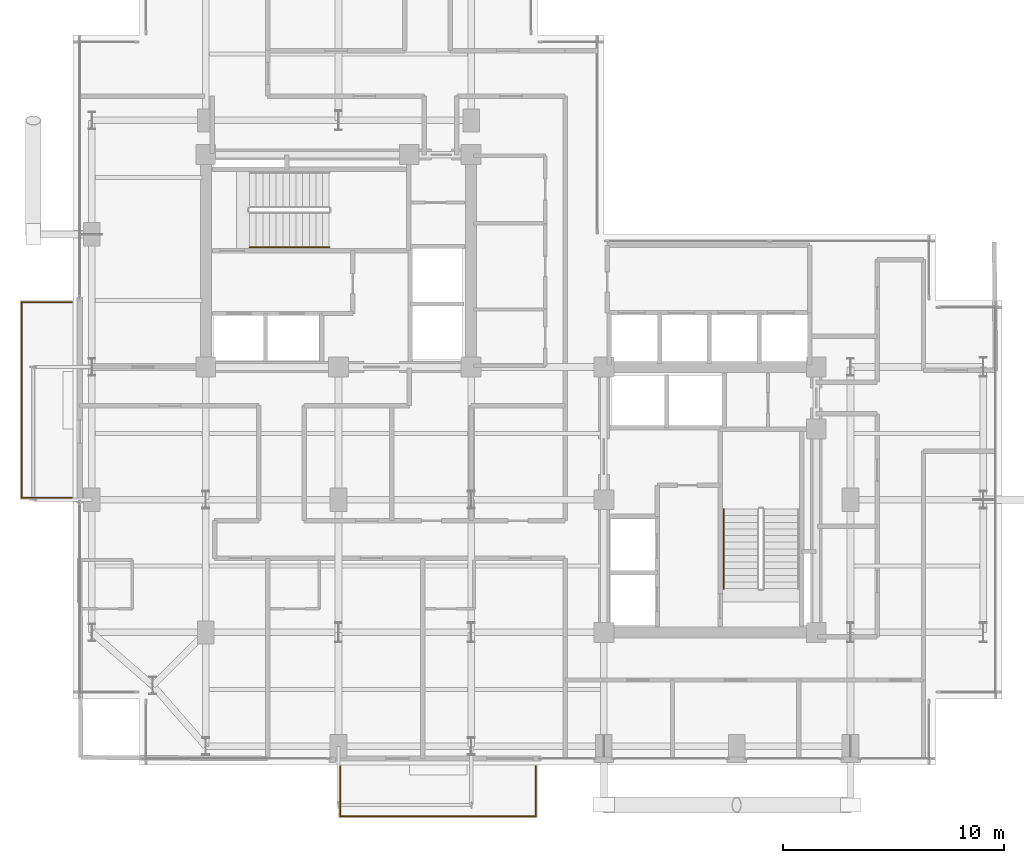
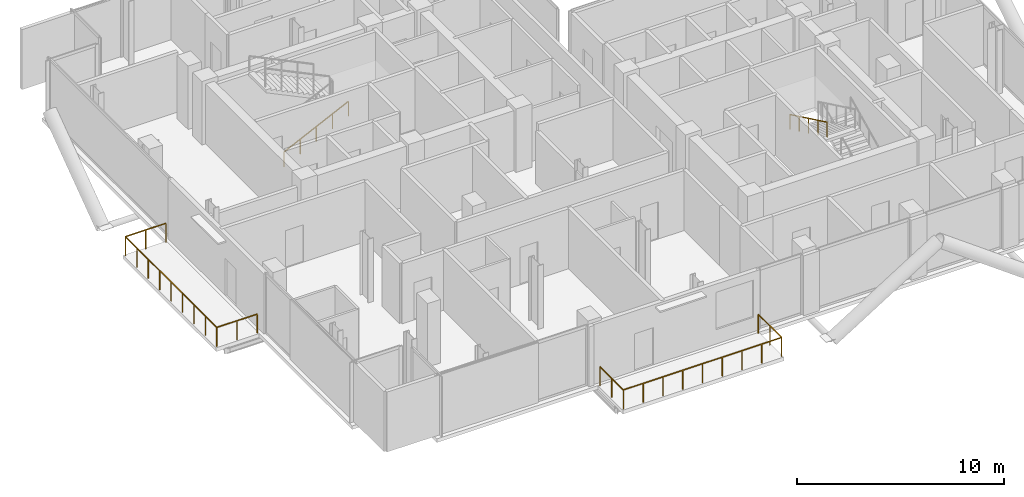
# One storey, part 21 of 22: 4 railings.
"""IFC4 building model written with IfcOpenShell, lengths in metres."""

from ifc_helpers import new_model, si_unit, direction, frame, origin, origin_2d, place, context, subcontext, project, spatial, rectangle, extrude, material, type_object, element, save


model = new_model("IFC4")

# Units and contexts
model_context = context("Model", 3, precision=1e-05, world=origin(), true_north=direction((0.0, 1.0)))
body_context = subcontext(model_context, "Body", "Model", "MODEL_VIEW")
ifc_project = project(units=[si_unit("LENGTHUNIT", "METRE"), si_unit("AREAUNIT", "SQUARE_METRE"), si_unit("VOLUMEUNIT", "CUBIC_METRE"), si_unit("PLANEANGLEUNIT", "RADIAN"), si_unit("MASSUNIT", "GRAM", prefix="KILO"), si_unit("THERMODYNAMICTEMPERATUREUNIT", "KELVIN"), si_unit("POWERUNIT", "WATT")], contexts=[model_context])

# Site, building, storey
site_placement = place(None, origin())
site = spatial("IfcSite", under=ifc_project, at=site_placement, CompositionType="ELEMENT")
building_placement = place(site_placement, origin())
building = spatial("IfcBuilding", under=site, at=building_placement, Name="Svarakhadi Broadcast Tower", CompositionType="ELEMENT")
storey_placement = place(building_placement, frame((0.0, 0.0, 176.699951171875)))
storey = spatial("IfcBuildingStorey", under=building, at=storey_placement, Name="L43", CompositionType="ELEMENT", Elevation=176.699951171875)

# Railings
ifc_material_1 = material(Name="Laminated Structural SentryGlas Balustrade 25.5 mm", Category="glass")
railing_type_1 = type_object("IfcRailingType", Name="Guard_Balcony_GR01", PredefinedType="BALUSTRADE", material=ifc_material_1)
railing_1_placement = place(storey_placement, frame((12.080078125, -0.06005859375, 0.0)))
element("IfcRailing", 1, at=railing_1_placement, inside=storey, type_object=railing_type_1, Name="L43 South Tree Balcony Guard GR-05", PredefinedType="BALUSTRADE", context=body_context, shape_type="SweptSolid", body=[
    extrude(rectangle(XDim=0.048095703125, YDim=0.048095703125, at=origin_2d()), frame((0.0, 0.0, 1.1259765625), z_axis=(0.0, -1.0, 0.0), x_axis=(1.0, 0.0, 0.0)), (0.0, 0.0, 1.0), 2.260009765625),
    extrude(rectangle(XDim=0.048095703125, YDim=0.048095703125, at=origin_2d()), frame((0.0, -2.260009765625, 1.1259765625), z_axis=(1.0, 0.0, 0.0), x_axis=(0.0, 1.0, 0.0)), (0.0, 0.0, 1.0), 8.83984375),
    extrude(rectangle(XDim=0.048095703125, YDim=0.048095703125, at=origin_2d()), frame((8.83984375, -2.260009765625, 1.1259765625), z_axis=(0.0, 1.0, 0.0), x_axis=(-1.0, 0.0, 0.0)), (0.0, 0.0, 1.0), 2.260009765625),
    extrude(rectangle(XDim=0.0419921875, YDim=0.0419921875, at=origin_2d()), origin(), (0.0, 0.0, 1.0), 1.101806640625),
    extrude(rectangle(XDim=0.0419921875, YDim=0.0419921875, at=origin_2d()), frame((0.0, -1.1298828125, 0.0)), (0.0, 0.0, 1.0), 1.101806640625),
    extrude(rectangle(XDim=0.0419921875, YDim=0.0419921875, at=origin_2d()), frame((0.0, -2.260009765625, 0.0)), (0.0, 0.0, 1.0), 1.101806640625),
    extrude(rectangle(XDim=0.0419921875, YDim=0.0419921875, at=origin_2d()), frame((1.10498046875, -2.260009765625, 0.0)), (0.0, 0.0, 1.0), 1.101806640625),
    extrude(rectangle(XDim=0.0419921875, YDim=0.0419921875, at=origin_2d()), frame((2.2099609375, -2.260009765625, 0.0)), (0.0, 0.0, 1.0), 1.101806640625),
    extrude(rectangle(XDim=0.0419921875, YDim=0.0419921875, at=origin_2d()), frame((3.31494140625, -2.260009765625, 0.0)), (0.0, 0.0, 1.0), 1.101806640625),
    extrude(rectangle(XDim=0.0419921875, YDim=0.0419921875, at=origin_2d()), frame((4.419921875, -2.260009765625, 0.0)), (0.0, 0.0, 1.0), 1.101806640625),
    extrude(rectangle(XDim=0.0419921875, YDim=0.0419921875, at=origin_2d()), frame((5.52490234375, -2.260009765625, 0.0)), (0.0, 0.0, 1.0), 1.101806640625),
    extrude(rectangle(XDim=0.0419921875, YDim=0.0419921875, at=origin_2d()), frame((6.6298828125, -2.260009765625, 0.0)), (0.0, 0.0, 1.0), 1.101806640625),
    extrude(rectangle(XDim=0.0419921875, YDim=0.0419921875, at=origin_2d()), frame((7.73486328125, -2.260009765625, 0.0)), (0.0, 0.0, 1.0), 1.101806640625),
    extrude(rectangle(XDim=0.0419921875, YDim=0.0419921875, at=origin_2d()), frame((8.83984375, -2.260009765625, 0.0)), (0.0, 0.0, 1.0), 1.101806640625),
    extrude(rectangle(XDim=0.0419921875, YDim=0.0419921875, at=origin_2d()), frame((8.83984375, -1.1298828125, 0.0)), (0.0, 0.0, 1.0), 1.101806640625),
    extrude(rectangle(XDim=0.0419921875, YDim=0.0419921875, at=origin_2d()), frame((8.83984375, 0.0, 0.0)), (0.0, 0.0, 1.0), 1.101806640625),
])
railing_2_placement = place(storey_placement, frame((-0.06005859375, 12.080078125, 0.0)))
element("IfcRailing", 2, at=railing_2_placement, inside=storey, type_object=railing_type_1, Name="L43 West Tree Balcony Guard GR-05", PredefinedType="BALUSTRADE", context=body_context, shape_type="SweptSolid", body=[
    extrude(rectangle(XDim=0.048095703125, YDim=0.048095703125, at=origin_2d()), frame((0.0, 0.0, 1.1259765625), z_axis=(-1.0, 0.0, 0.0), x_axis=(0.0, -1.0, 0.0)), (0.0, 0.0, 1.0), 2.260009765625),
    extrude(rectangle(XDim=0.048095703125, YDim=0.048095703125, at=origin_2d()), frame((-2.260009765625, 0.0, 1.1259765625), z_axis=(0.0, 1.0, 0.0), x_axis=(-1.0, 0.0, 0.0)), (0.0, 0.0, 1.0), 8.83984375),
    extrude(rectangle(XDim=0.048095703125, YDim=0.048095703125, at=origin_2d()), frame((-2.260009765625, 8.83984375, 1.1259765625), z_axis=(1.0, 0.0, 0.0), x_axis=(0.0, 1.0, 0.0)), (0.0, 0.0, 1.0), 2.260009765625),
    extrude(rectangle(XDim=0.0419921875, YDim=0.0419921875, at=origin_2d()), origin(), (0.0, 0.0, 1.0), 1.101806640625),
    extrude(rectangle(XDim=0.0419921875, YDim=0.0419921875, at=origin_2d()), frame((-1.1298828125, 0.0, 0.0)), (0.0, 0.0, 1.0), 1.101806640625),
    extrude(rectangle(XDim=0.0419921875, YDim=0.0419921875, at=origin_2d()), frame((-2.260009765625, 0.0, 0.0)), (0.0, 0.0, 1.0), 1.101806640625),
    extrude(rectangle(XDim=0.0419921875, YDim=0.0419921875, at=origin_2d()), frame((-2.260009765625, 1.10498046875, 0.0)), (0.0, 0.0, 1.0), 1.101806640625),
    extrude(rectangle(XDim=0.0419921875, YDim=0.0419921875, at=origin_2d()), frame((-2.260009765625, 2.2099609375, 0.0)), (0.0, 0.0, 1.0), 1.101806640625),
    extrude(rectangle(XDim=0.0419921875, YDim=0.0419921875, at=origin_2d()), frame((-2.260009765625, 3.31494140625, 0.0)), (0.0, 0.0, 1.0), 1.101806640625),
    extrude(rectangle(XDim=0.0419921875, YDim=0.0419921875, at=origin_2d()), frame((-2.260009765625, 4.419921875, 0.0)), (0.0, 0.0, 1.0), 1.101806640625),
    extrude(rectangle(XDim=0.0419921875, YDim=0.0419921875, at=origin_2d()), frame((-2.260009765625, 5.52490234375, 0.0)), (0.0, 0.0, 1.0), 1.101806640625),
    extrude(rectangle(XDim=0.0419921875, YDim=0.0419921875, at=origin_2d()), frame((-2.260009765625, 6.6298828125, 0.0)), (0.0, 0.0, 1.0), 1.101806640625),
    extrude(rectangle(XDim=0.0419921875, YDim=0.0419921875, at=origin_2d()), frame((-2.260009765625, 7.73486328125, 0.0)), (0.0, 0.0, 1.0), 1.101806640625),
    extrude(rectangle(XDim=0.0419921875, YDim=0.0419921875, at=origin_2d()), frame((-2.260009765625, 8.83984375, 0.0)), (0.0, 0.0, 1.0), 1.101806640625),
    extrude(rectangle(XDim=0.0419921875, YDim=0.0419921875, at=origin_2d()), frame((-1.1298828125, 8.83984375, 0.0)), (0.0, 0.0, 1.0), 1.101806640625),
    extrude(rectangle(XDim=0.0419921875, YDim=0.0419921875, at=origin_2d()), frame((0.0, 8.83984375, 0.0)), (0.0, 0.0, 1.0), 1.101806640625),
])
ifc_material_2 = material(Name="Anodised Bronze Aluminium AA 6063-T6", Category="aluminium")
railing_type_2 = type_object("IfcRailingType", Name="Handrail_Stair_HR01", PredefinedType="HANDRAIL", material=ifc_material_2)
railing_3_placement = place(storey_placement, frame((7.97998046875, 23.409912109375, 0.144287109375)))
element("IfcRailing", 3, at=railing_3_placement, inside=storey, type_object=railing_type_2, Name="L43 ST-01 stair handrail 1", PredefinedType="HANDRAIL", context=body_context, shape_type="SweptSolid", body=[
    extrude(rectangle(XDim=0.048095703125, YDim=0.048095703125, at=origin_2d()), frame((0.0, 0.0, 0.8759765625), z_axis=(0.901262522062, 0.0, 0.433273431364), x_axis=(0.0, 1.0, 0.0)), (0.0, 0.0, 1.0), 3.994384765625),
    extrude(rectangle(XDim=0.0419921875, YDim=0.0419921875, at=origin_2d()), origin(), (0.0, 0.0, 1.0), 0.851806640625),
    extrude(rectangle(XDim=0.0419921875, YDim=0.0419921875, at=origin_2d()), frame((0.89990234375, 0.0, 0.4326171875)), (0.0, 0.0, 1.0), 0.851806640625),
    extrude(rectangle(XDim=0.0419921875, YDim=0.0419921875, at=origin_2d()), frame((1.800048828125, 0.0, 0.865234375)), (0.0, 0.0, 1.0), 0.851806640625),
    extrude(rectangle(XDim=0.0419921875, YDim=0.0419921875, at=origin_2d()), frame((2.7001953125, 0.0, 1.298095703125)), (0.0, 0.0, 1.0), 0.851806640625),
    extrude(rectangle(XDim=0.0419921875, YDim=0.0419921875, at=origin_2d()), frame((3.60009765625, 0.0, 1.730712890625)), (0.0, 0.0, 1.0), 0.851806640625),
])
railing_4_placement = place(storey_placement, frame((29.409912109375, 11.580078125, 2.019287109375)))
element("IfcRailing", 4, at=railing_4_placement, inside=storey, type_object=railing_type_2, Name="L43 ST-02 stair handrail 2", PredefinedType="HANDRAIL", context=body_context, shape_type="SweptSolid", body=[
    extrude(rectangle(XDim=0.048095703125, YDim=0.048095703125, at=origin_2d()), frame((0.0, 0.0, 0.8759765625), z_axis=(0.0, -0.901262522062, 0.433273431364), x_axis=(1.0, 0.0, 0.0)), (0.0, 0.0, 1.0), 3.994384765625),
    extrude(rectangle(XDim=0.0419921875, YDim=0.0419921875, at=origin_2d()), origin(), (0.0, 0.0, 1.0), 0.851806640625),
    extrude(rectangle(XDim=0.0419921875, YDim=0.0419921875, at=origin_2d()), frame((0.0, -0.89990234375, 0.4326171875)), (0.0, 0.0, 1.0), 0.851806640625),
    extrude(rectangle(XDim=0.0419921875, YDim=0.0419921875, at=origin_2d()), frame((0.0, -1.800048828125, 0.865234375)), (0.0, 0.0, 1.0), 0.851806640625),
    extrude(rectangle(XDim=0.0419921875, YDim=0.0419921875, at=origin_2d()), frame((0.0, -2.7001953125, 1.298095703125)), (0.0, 0.0, 1.0), 0.851806640625),
    extrude(rectangle(XDim=0.0419921875, YDim=0.0419921875, at=origin_2d()), frame((0.0, -3.60009765625, 1.730712890625)), (0.0, 0.0, 1.0), 0.851806640625),
])

save(model, "model.ifc")
